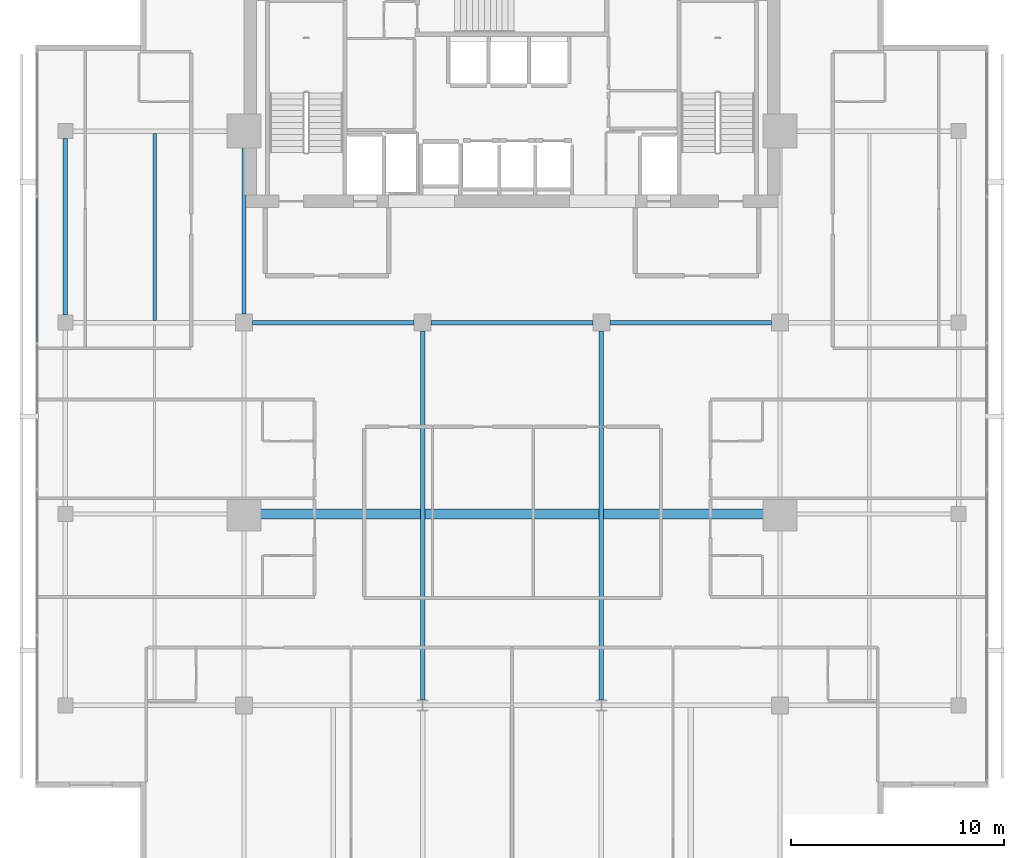
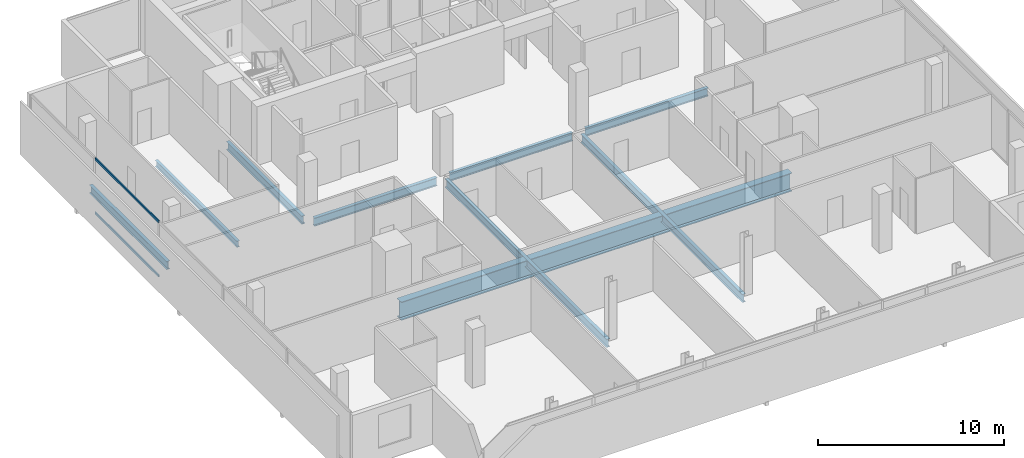
# One storey, part 9 of 25: 9 beams, 2 members, 1 element without a shape of its own.
"""IFC4 building model written with IfcOpenShell, lengths in metres."""

from ifc_helpers import new_model, si_unit, direction, frame, origin, origin_2d, place, context, subcontext, project, spatial, hollow_rectangle, i_section, extrude, material, layer, layer_set, material_profile, profile_set, type_object, element, aggregate, save


model = new_model("IFC4")

# Units and contexts
model_context = context("Model", 3, precision=1e-05, world=origin(), true_north=direction((0.0, 1.0)))
body_context = subcontext(model_context, "Body", "Model", "MODEL_VIEW")
ifc_project = project(units=[si_unit("LENGTHUNIT", "METRE"), si_unit("AREAUNIT", "SQUARE_METRE"), si_unit("VOLUMEUNIT", "CUBIC_METRE"), si_unit("PLANEANGLEUNIT", "RADIAN"), si_unit("MASSUNIT", "GRAM", prefix="KILO")], contexts=[model_context])

# Site, building, storey
site_placement = place(None, origin())
site = spatial("IfcSite", under=ifc_project, at=site_placement, CompositionType="ELEMENT")
building_placement = place(site_placement, origin())
building = spatial("IfcBuilding", under=site, at=building_placement, Name="Maruvema Waterfront Hotel and Observation Tower", CompositionType="ELEMENT")
storey_placement = place(building_placement, frame((0.0, 0.0, 274.050048828125)))
storey = spatial("IfcBuildingStorey", under=building, at=storey_placement, Name="L67", CompositionType="ELEMENT", Elevation=274.050048828125)

# Curtain wall, members
ifc_material_1 = material(Name="Anodised bronze aluminium and solar-control low-E IGU", Category="aluminium")
ifc_layer = layer(ifc_material_1, 0.159912109375, Name="Zone 3 Champagne Inner Thermal Curtain Wall System CW-04")
ifc_layer_set = layer_set([ifc_layer], Name="Anodised bronze aluminium and solar-control low-E IGU")
curtain_wall_type = type_object("IfcCurtainWallType", Name="Zone 3 Champagne Inner Thermal Curtain Wall System CW-04", PredefinedType="USERDEFINED", material=ifc_layer_set)
curtain_wall_placement = place(storey_placement, origin())
curtain_wall = element("IfcCurtainWall", 1, at=curtain_wall_placement, inside=storey, type_object=curtain_wall_type, Name="L67 Curtain Wall CW-L67-W", ObjectType="UNITISED CURTAIN WALL", PredefinedType="USERDEFINED")
ifc_material_2 = material(Name="Anodised architectural bronze aluminium", Category="aluminium")
ifc_material_profile_1 = material_profile(ifc_material_2, hollow_rectangle(XDim=0.070068359375, YDim=0.14990234375, WallThickness=0.00390625, at=origin_2d()), Name="ALU-T70x150")
ifc_profile_set_1 = profile_set([ifc_material_profile_1], Name="Anodised architectural bronze aluminium")
member_type = type_object("IfcMemberType", Name="Curtain Wall Horizontal Transom ALU-T70x150", PredefinedType="USERDEFINED", material=ifc_profile_set_1)
member_1_placement = place(storey_placement, frame((15.47998046875, 41.889892578125, 0.030029296875), z_axis=(0.0, -1.0, 0.0), x_axis=(1.0, 0.0, 0.0)))
member_1 = element("IfcMember", 2, at=member_1_placement, type_object=member_type, Name="CW-04 transom 2.1", ObjectType="TRANSOM", PredefinedType="USERDEFINED", context=body_context, shape_type="SweptSolid", body=[
    extrude(hollow_rectangle(XDim=0.070068359375, YDim=0.14990234375, WallThickness=0.00390625, at=origin_2d()), origin(), (0.0, 0.0, 1.0), 6.81982421875),
])
member_2_placement = place(storey_placement, frame((15.47998046875, 41.889892578125, 3.579833984375), z_axis=(0.0, -1.0, 0.0), x_axis=(1.0, 0.0, 0.0)))
member_2 = element("IfcMember", 3, at=member_2_placement, type_object=member_type, Name="CW-04 transom 2.2", ObjectType="TRANSOM", PredefinedType="USERDEFINED", context=body_context, shape_type="SweptSolid", body=[
    extrude(hollow_rectangle(XDim=0.070068359375, YDim=0.14990234375, WallThickness=0.00390625, at=origin_2d()), origin(), (0.0, 0.0, 1.0), 6.81982421875),
])
aggregate(curtain_wall, [member_1, member_2])

# Beams
ifc_material_3 = material(Name="Steel ASTM A572 Grade 50", Category="steel")
ifc_material_profile_2 = material_profile(ifc_material_3, i_section(OverallWidth=0.208984375, OverallDepth=0.532958984375, WebThickness=0.01025390625, FlangeThickness=0.015625, FilletRadius=0.014892578125, at=origin_2d()), Name="W530x92.0")
ifc_profile_set_2 = profile_set([ifc_material_profile_2], Name="Steel ASTM A572 Grade 50")
beam_type_1 = type_object("IfcBeamType", Name="Primary Floor Girder W530x92.0", PredefinedType="BEAM", material=ifc_profile_set_2)
beam_1_placement = place(storey_placement, frame((25.60009765625, 36.0, -0.506591796875), z_axis=(1.0, 0.0, 0.0), x_axis=(0.0, 1.0, 0.0)))
element("IfcBeam", 4, at=beam_1_placement, inside=storey, type_object=beam_type_1, Name="L67 Floor Girder EW-13", PredefinedType="BEAM", context=body_context, shape_type="SweptSolid", body=[
    extrude(i_section(OverallWidth=0.208984375, OverallDepth=0.532958984375, WebThickness=0.01025390625, FlangeThickness=0.015625, FilletRadius=0.014892578125, at=origin_2d()), origin(), (0.0, 0.0, 1.0), 7.599853515625),
])
for number, where, z_axis, x_axis, name in (
    (5, (34.0, 36.0, -0.506591796875), (1.0, 0.0, 0.0), (0.0, 1.0, 0.0), "L67 Floor Girder EW-14"),
    (6, (42.39990234375, 36.0, -0.506591796875), (1.0, 0.0, 0.0), (0.0, 1.0, 0.0), "L67 Floor Girder EW-15"),
):
    element("IfcBeam", number, at=place(storey_placement, frame(where, z_axis=z_axis, x_axis=x_axis)), inside=storey, type_object=beam_type_1, Name=name, PredefinedType="BEAM", context=body_context, shape_type="SweptSolid", body=[
        extrude(i_section(OverallWidth=0.208984375, OverallDepth=0.532958984375, WebThickness=0.01025390625, FlangeThickness=0.015625, FilletRadius=0.014892578125, at=origin_2d()), origin(), (0.0, 0.0, 1.0), 7.60009765625),
    ])
beam_2_placement = place(storey_placement, frame((16.800048828125, 36.35009765625, -0.506591796875), z_axis=(0.0, 1.0, 0.0), x_axis=(-1.0, 0.0, 0.0)))
element("IfcBeam", 7, at=beam_2_placement, inside=storey, type_object=beam_type_1, Name="L67 Floor Girder NS-03", PredefinedType="BEAM", context=body_context, shape_type="SweptSolid", body=[
    extrude(i_section(OverallWidth=0.208984375, OverallDepth=0.532958984375, WebThickness=0.01025390625, FlangeThickness=0.015625, FilletRadius=0.014892578125, at=origin_2d()), origin(), (0.0, 0.0, 1.0), 8.2998046875),
])
beam_3_placement = place(storey_placement, frame((25.199951171875, 36.39990234375, -0.506591796875), z_axis=(0.0, 1.0, 0.0), x_axis=(-1.0, 0.0, 0.0)))
element("IfcBeam", 8, at=beam_3_placement, inside=storey, type_object=beam_type_1, Name="L67 Floor Girder NS-07", PredefinedType="BEAM", context=body_context, shape_type="SweptSolid", body=[
    extrude(i_section(OverallWidth=0.208984375, OverallDepth=0.532958984375, WebThickness=0.01025390625, FlangeThickness=0.015625, FilletRadius=0.014892578125, at=origin_2d()), origin(), (0.0, 0.0, 1.0), 8.10009765625),
])
for number, where, z_axis, x_axis, name in (
    (9, (33.60009765625, 18.25, -0.506591796875), (0.0, 1.0, 0.0), (-1.0, 0.0, 0.0), "L67 Floor Girder NS-09"),
    (10, (42.0, 18.25, -0.506591796875), (0.0, 1.0, 0.0), (-1.0, 0.0, 0.0), "L67 Floor Girder NS-11"),
):
    element("IfcBeam", number, at=place(storey_placement, frame(where, z_axis=z_axis, x_axis=x_axis)), inside=storey, type_object=beam_type_1, Name=name, PredefinedType="BEAM", context=body_context, shape_type="SweptSolid", body=[
        extrude(i_section(OverallWidth=0.208984375, OverallDepth=0.532958984375, WebThickness=0.01025390625, FlangeThickness=0.015625, FilletRadius=0.014892578125, at=origin_2d()), origin(), (0.0, 0.0, 1.0), 17.35009765625),
    ])
ifc_material_4 = material(Name="Steel ASTM A572 Grade 50", Category="steel")
ifc_material_profile_3 = material_profile(ifc_material_4, i_section(OverallWidth=0.177001953125, OverallDepth=0.403076171875, WebThickness=0.007568359375, FlangeThickness=0.010986328125, FilletRadius=0.014892578125, at=origin_2d()), Name="W410x53.0")
ifc_profile_set_3 = profile_set([ifc_material_profile_3], Name="Steel ASTM A572 Grade 50")
beam_type_2 = type_object("IfcBeamType", Name="Secondary Floor Joist W410x53.0", PredefinedType="JOIST", material=ifc_profile_set_3)
beam_4_placement = place(storey_placement, frame((21.0, 36.1044921875, -0.441650390625), z_axis=(0.0, 1.0, 0.0), x_axis=(-1.0, 0.0, 0.0)))
element("IfcBeam", 11, at=beam_4_placement, inside=storey, type_object=beam_type_2, Name="L67 Secondary Floor Joist JS-03", PredefinedType="JOIST", context=body_context, shape_type="SweptSolid", body=[
    extrude(i_section(OverallWidth=0.177001953125, OverallDepth=0.403076171875, WebThickness=0.007568359375, FlangeThickness=0.010986328125, FilletRadius=0.014892578125, at=origin_2d()), origin(), (0.0, 0.0, 1.0), 8.791015625),
])
ifc_material_5 = material(Name="Steel ABNT NBR 7007 AR 415 (ASTM A572 Grade 50)", Category="steel")
ifc_material_profile_4 = material_profile(ifc_material_5, i_section(OverallWidth=0.449951171875, OverallDepth=1.199951171875, WebThickness=0.01904296875, FlangeThickness=0.031982421875, at=origin_2d()), Name="VS1200x366")
ifc_profile_set_4 = profile_set([ifc_material_profile_4], Name="Steel ABNT NBR 7007 AR 415 (ASTM A572 Grade 50)")
beam_type_3 = type_object("IfcBeamType", Name="Upper Setback Transfer Girder VS1200x366", PredefinedType="USERDEFINED", material=ifc_profile_set_4)
beam_5_placement = place(storey_placement, frame((25.699951171875, 27.0, -0.840087890625), z_axis=(1.0, 0.0, 0.0), x_axis=(0.0, 1.0, 0.0)))
element("IfcBeam", 12, at=beam_5_placement, inside=storey, type_object=beam_type_3, Name="L67 Floor Girder EW-10", ObjectType="TRANSFER GIRDER", PredefinedType="USERDEFINED", context=body_context, shape_type="SweptSolid", body=[
    extrude(i_section(OverallWidth=0.449951171875, OverallDepth=1.199951171875, WebThickness=0.01904296875, FlangeThickness=0.031982421875, at=origin_2d()), origin(), (0.0, 0.0, 1.0), 24.199951171875),
])

save(model, "model.ifc")
